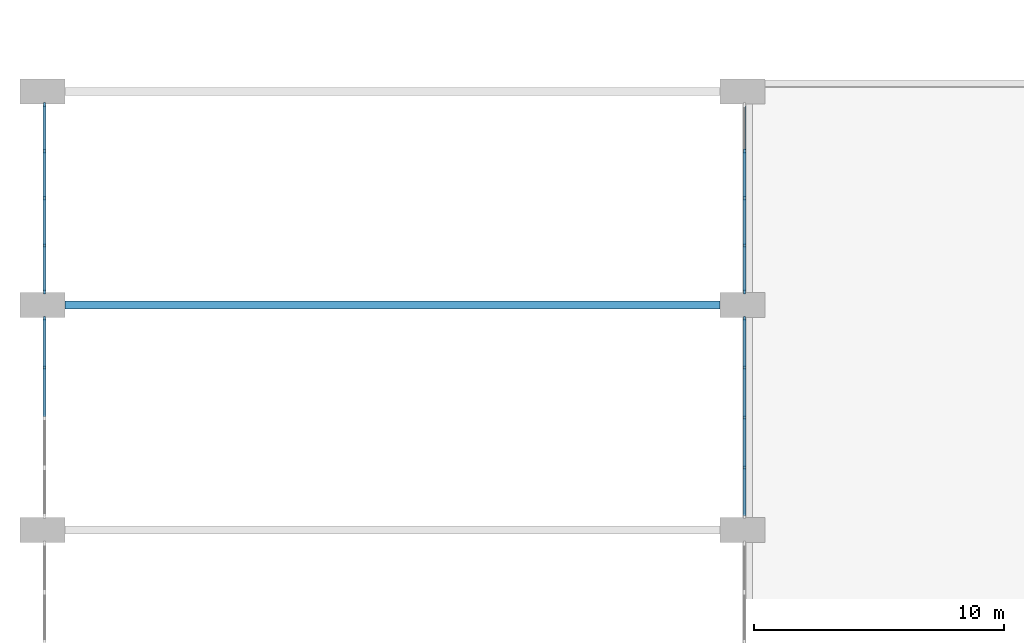
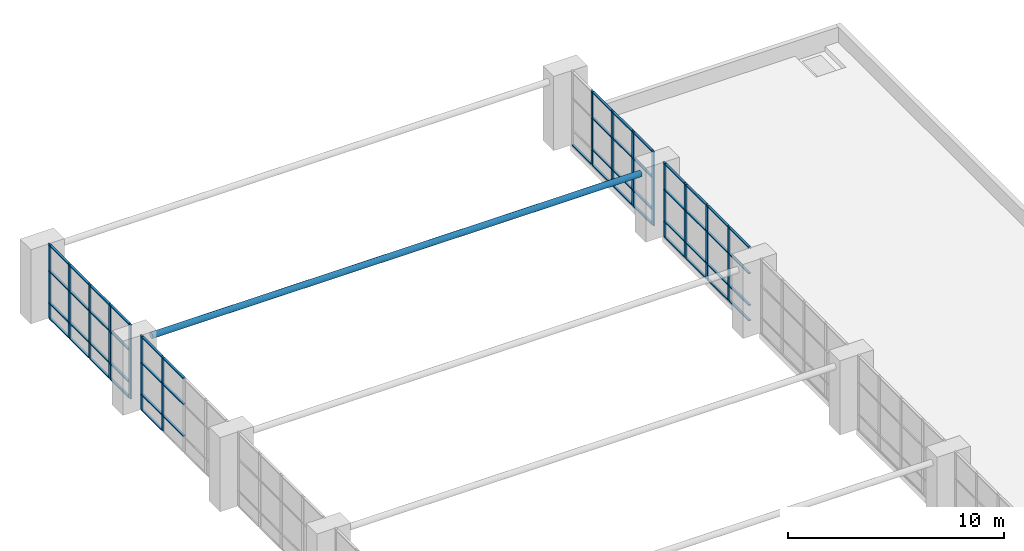
# One storey, part 6 of 21: 68 members, 4 elements without a shape of their own.
"""IFC4 building model written with IfcOpenShell, lengths in metres."""

from ifc_helpers import new_model, si_unit, direction, frame, origin, origin_2d, place, context, subcontext, project, spatial, rectangle, hollow_circle, extrude, material, material_profile, profile_set, type_object, element, aggregate, save


model = new_model("IFC4")

# Units and contexts
model_context = context("Model", 3, precision=1e-05, world=origin(), true_north=direction((0.0, 1.0)))
body_context = subcontext(model_context, "Body", "Model", "MODEL_VIEW")
ifc_project = project(units=[si_unit("LENGTHUNIT", "METRE"), si_unit("AREAUNIT", "SQUARE_METRE"), si_unit("VOLUMEUNIT", "CUBIC_METRE"), si_unit("PLANEANGLEUNIT", "RADIAN"), si_unit("MASSUNIT", "GRAM", prefix="KILO")], contexts=[model_context])

# Site, building, storey
site_placement = place(None, origin())
site = spatial("IfcSite", under=ifc_project, at=site_placement, CompositionType="ELEMENT")
building_placement = place(site_placement, origin())
building = spatial("IfcBuilding", under=site, at=building_placement, Name="Elmora Arch Market Hall", CompositionType="ELEMENT")
storey_placement = place(building_placement, frame((0.0, 0.0, 14.39990234375)))
storey = spatial("IfcBuildingStorey", under=building, at=storey_placement, Name="L03", CompositionType="ELEMENT", Elevation=14.39990234375)

# Curtain wall, members
ifc_material_1 = material(Name="Aluminium", Category="aluminium")
curtain_wall_type = type_object("IfcCurtainWallType", Name="Hall front curtain wall", PredefinedType="NOTDEFINED", material=ifc_material_1)
curtain_wall_1_placement = place(storey_placement, origin())
curtain_wall_1 = element("IfcCurtainWall", 1, at=curtain_wall_1_placement, inside=storey, type_object=curtain_wall_type, Name="Hall west glazing L03 7", PredefinedType="NOTDEFINED")
ifc_material_2 = material(Name="Aluminium", Category="aluminium")
ifc_material_profile_1 = material_profile(ifc_material_2, rectangle(XDim=0.080078125, YDim=0.179931640625, at=origin_2d()), Name="AL 80x180")
ifc_profile_set_1 = profile_set([ifc_material_profile_1], Name="Aluminium")
member_type_1 = type_object("IfcMemberType", Name="Mullion 80x180", PredefinedType="MULLION", material=ifc_profile_set_1)
member_1_placement = place(storey_placement, frame((15.090087890625, 87.5, 0.0), z_axis=(0.0, 0.0, 1.0), x_axis=(-1.0, 0.0, 0.0)))
member_1 = element("IfcMember", 2, at=member_1_placement, type_object=member_type_1, Name="CW2 mullion 4", PredefinedType="MULLION", context=body_context, shape_type="SweptSolid", body=[
    extrude(rectangle(XDim=0.080078125, YDim=0.179931640625, at=origin_2d()), origin(), (0.0, 0.0, 1.0), 4.2001953125),
])
member_2_placement = place(storey_placement, frame((15.090087890625, 89.4599609375, 0.0), z_axis=(0.0, 0.0, 1.0), x_axis=(-1.0, 0.0, 0.0)))
member_2 = element("IfcMember", 3, at=member_2_placement, type_object=member_type_1, Name="CW2 mullion 5", PredefinedType="MULLION", context=body_context, shape_type="SweptSolid", body=[
    extrude(rectangle(XDim=0.080078125, YDim=0.179931640625, at=origin_2d()), origin(), (0.0, 0.0, 1.0), 4.2001953125),
])

curtain_wall_2_placement = place(storey_placement, origin())
curtain_wall_2 = element("IfcCurtainWall", 4, at=curtain_wall_2_placement, inside=storey, type_object=curtain_wall_type, Name="Hall west glazing L03 8", PredefinedType="NOTDEFINED")
member_3_placement = place(storey_placement, frame((15.090087890625, 90.5400390625, 0.0), z_axis=(0.0, 0.0, 1.0), x_axis=(-1.0, 0.0, 0.0)))
member_3 = element("IfcMember", 5, at=member_3_placement, type_object=member_type_1, Name="CW2 mullion 1", PredefinedType="MULLION", context=body_context, shape_type="SweptSolid", body=[
    extrude(rectangle(XDim=0.080078125, YDim=0.179931640625, at=origin_2d()), origin(), (0.0, 0.0, 1.0), 4.2001953125),
])
member_4_placement = place(storey_placement, frame((15.090087890625, 92.387451171875, 0.0), z_axis=(0.0, 0.0, 1.0), x_axis=(-1.0, 0.0, 0.0)))
member_4 = element("IfcMember", 6, at=member_4_placement, type_object=member_type_1, Name="CW2 mullion 2", PredefinedType="MULLION", context=body_context, shape_type="SweptSolid", body=[
    extrude(rectangle(XDim=0.080078125, YDim=0.179931640625, at=origin_2d()), origin(), (0.0, 0.0, 1.0), 4.2001953125),
])
member_5_placement = place(storey_placement, frame((15.090087890625, 94.27490234375, 0.0), z_axis=(0.0, 0.0, 1.0), x_axis=(-1.0, 0.0, 0.0)))
member_5 = element("IfcMember", 7, at=member_5_placement, type_object=member_type_1, Name="CW2 mullion 3", PredefinedType="MULLION", context=body_context, shape_type="SweptSolid", body=[
    extrude(rectangle(XDim=0.080078125, YDim=0.179931640625, at=origin_2d()), origin(), (0.0, 0.0, 1.0), 4.2001953125),
])
member_6_placement = place(storey_placement, frame((15.090087890625, 96.16259765625, 0.0), z_axis=(0.0, 0.0, 1.0), x_axis=(-1.0, 0.0, 0.0)))
member_6 = element("IfcMember", 8, at=member_6_placement, type_object=member_type_1, Name="CW2 mullion 4", PredefinedType="MULLION", context=body_context, shape_type="SweptSolid", body=[
    extrude(rectangle(XDim=0.080078125, YDim=0.179931640625, at=origin_2d()), origin(), (0.0, 0.0, 1.0), 4.2001953125),
])
member_7_placement = place(storey_placement, frame((15.090087890625, 98.010009765625, 0.0), z_axis=(0.0, 0.0, 1.0), x_axis=(-1.0, 0.0, 0.0)))
member_7 = element("IfcMember", 9, at=member_7_placement, type_object=member_type_1, Name="CW2 mullion 5", PredefinedType="MULLION", context=body_context, shape_type="SweptSolid", body=[
    extrude(rectangle(XDim=0.080078125, YDim=0.179931640625, at=origin_2d()), origin(), (0.0, 0.0, 1.0), 4.2001953125),
])

curtain_wall_3_placement = place(storey_placement, origin())
curtain_wall_3 = element("IfcCurtainWall", 10, at=curtain_wall_3_placement, inside=storey, type_object=curtain_wall_type, Name="Hall east glazing L03 7", PredefinedType="NOTDEFINED")
member_8_placement = place(storey_placement, frame((43.090087890625, 83.5, 0.0), z_axis=(0.0, 0.0, 1.0), x_axis=(-1.0, 0.0, 0.0)))
member_8 = element("IfcMember", 11, at=member_8_placement, type_object=member_type_1, Name="CW2 mullion 2", PredefinedType="MULLION", context=body_context, shape_type="SweptSolid", body=[
    extrude(rectangle(XDim=0.080078125, YDim=0.179931640625, at=origin_2d()), origin(), (0.0, 0.0, 1.0), 4.2001953125),
])
member_9_placement = place(storey_placement, frame((43.090087890625, 85.5, 0.0), z_axis=(0.0, 0.0, 1.0), x_axis=(-1.0, 0.0, 0.0)))
member_9 = element("IfcMember", 12, at=member_9_placement, type_object=member_type_1, Name="CW2 mullion 3", PredefinedType="MULLION", context=body_context, shape_type="SweptSolid", body=[
    extrude(rectangle(XDim=0.080078125, YDim=0.179931640625, at=origin_2d()), origin(), (0.0, 0.0, 1.0), 4.2001953125),
])
member_10_placement = place(storey_placement, frame((43.090087890625, 87.5, 0.0), z_axis=(0.0, 0.0, 1.0), x_axis=(-1.0, 0.0, 0.0)))
member_10 = element("IfcMember", 13, at=member_10_placement, type_object=member_type_1, Name="CW2 mullion 4", PredefinedType="MULLION", context=body_context, shape_type="SweptSolid", body=[
    extrude(rectangle(XDim=0.080078125, YDim=0.179931640625, at=origin_2d()), origin(), (0.0, 0.0, 1.0), 4.2001953125),
])
member_11_placement = place(storey_placement, frame((43.090087890625, 89.4599609375, 0.0), z_axis=(0.0, 0.0, 1.0), x_axis=(-1.0, 0.0, 0.0)))
member_11 = element("IfcMember", 14, at=member_11_placement, type_object=member_type_1, Name="CW2 mullion 5", PredefinedType="MULLION", context=body_context, shape_type="SweptSolid", body=[
    extrude(rectangle(XDim=0.080078125, YDim=0.179931640625, at=origin_2d()), origin(), (0.0, 0.0, 1.0), 4.2001953125),
])

curtain_wall_4_placement = place(storey_placement, origin())
curtain_wall_4 = element("IfcCurtainWall", 15, at=curtain_wall_4_placement, inside=storey, type_object=curtain_wall_type, Name="Hall east glazing L03 8", PredefinedType="NOTDEFINED")
member_12_placement = place(storey_placement, frame((43.090087890625, 90.5400390625, 0.0), z_axis=(0.0, 0.0, 1.0), x_axis=(-1.0, 0.0, 0.0)))
member_12 = element("IfcMember", 16, at=member_12_placement, type_object=member_type_1, Name="CW2 mullion 1", PredefinedType="MULLION", context=body_context, shape_type="SweptSolid", body=[
    extrude(rectangle(XDim=0.080078125, YDim=0.179931640625, at=origin_2d()), origin(), (0.0, 0.0, 1.0), 4.2001953125),
])
member_13_placement = place(storey_placement, frame((43.090087890625, 92.387451171875, 0.0), z_axis=(0.0, 0.0, 1.0), x_axis=(-1.0, 0.0, 0.0)))
member_13 = element("IfcMember", 17, at=member_13_placement, type_object=member_type_1, Name="CW2 mullion 2", PredefinedType="MULLION", context=body_context, shape_type="SweptSolid", body=[
    extrude(rectangle(XDim=0.080078125, YDim=0.179931640625, at=origin_2d()), origin(), (0.0, 0.0, 1.0), 4.2001953125),
])
member_14_placement = place(storey_placement, frame((43.090087890625, 94.27490234375, 0.0), z_axis=(0.0, 0.0, 1.0), x_axis=(-1.0, 0.0, 0.0)))
member_14 = element("IfcMember", 18, at=member_14_placement, type_object=member_type_1, Name="CW2 mullion 3", PredefinedType="MULLION", context=body_context, shape_type="SweptSolid", body=[
    extrude(rectangle(XDim=0.080078125, YDim=0.179931640625, at=origin_2d()), origin(), (0.0, 0.0, 1.0), 4.2001953125),
])
member_15_placement = place(storey_placement, frame((43.090087890625, 96.16259765625, 0.0), z_axis=(0.0, 0.0, 1.0), x_axis=(-1.0, 0.0, 0.0)))
member_15 = element("IfcMember", 19, at=member_15_placement, type_object=member_type_1, Name="CW2 mullion 4", PredefinedType="MULLION", context=body_context, shape_type="SweptSolid", body=[
    extrude(rectangle(XDim=0.080078125, YDim=0.179931640625, at=origin_2d()), origin(), (0.0, 0.0, 1.0), 4.2001953125),
])

# Member
ifc_material_3 = material(Name="Steel ASTM A500 Gr C", Category="steel")
ifc_material_profile_2 = material_profile(ifc_material_3, hollow_circle(Radius=0.161865234375, WallThickness=0.0126953125, at=origin_2d()), Name="Tie rod")
ifc_profile_set_2 = profile_set([ifc_material_profile_2], Name="Steel ASTM A500 Gr C")
member_type_2 = type_object("IfcMemberType", Name="Tie rod", PredefinedType="USERDEFINED", material=ifc_profile_set_2)
member_16_placement = place(storey_placement, frame((15.89990234375, 90.0, 3.60009765625), z_axis=(1.0, 0.0, 0.0), x_axis=(0.0, 1.0, 0.0)))
element("IfcMember", 20, at=member_16_placement, inside=storey, type_object=member_type_2, Name="Tie rod 08", ObjectType="TIE ROD", PredefinedType="USERDEFINED", context=body_context, shape_type="SweptSolid", body=[
    extrude(hollow_circle(Radius=0.161865234375, WallThickness=0.0126953125, at=origin_2d()), origin(), (0.0, 0.0, 1.0), 26.2001953125),
])

ifc_material_4 = material(Name="Aluminium", Category="aluminium")
ifc_material_profile_3 = material_profile(ifc_material_4, rectangle(XDim=0.1201171875, YDim=0.06005859375, at=origin_2d()), Name="AL 120x60")
ifc_profile_set_3 = profile_set([ifc_material_profile_3], Name="Aluminium")
member_type_3 = type_object("IfcMemberType", Name="Transom 120x60", PredefinedType="USERDEFINED", material=ifc_profile_set_3)
member_17_placement = place(storey_placement, frame((15.090087890625, 85.5400390625, 0.900146484375), z_axis=(0.0, 1.0, 0.0), x_axis=(-1.0, 0.0, 0.0)))
member_17 = element("IfcMember", 21, at=member_17_placement, type_object=member_type_3, Name="CW2 transom 3.2", ObjectType="TRANSOM", PredefinedType="USERDEFINED", context=body_context, shape_type="SweptSolid", body=[
    extrude(rectangle(XDim=0.1201171875, YDim=0.06005859375, at=origin_2d()), origin(), (0.0, 0.0, 1.0), 1.919921875),
])

member_18_placement = place(storey_placement, frame((15.090087890625, 85.5400390625, 2.7001953125), z_axis=(0.0, 1.0, 0.0), x_axis=(-1.0, 0.0, 0.0)))
member_18 = element("IfcMember", 22, at=member_18_placement, type_object=member_type_3, Name="CW2 transom 3.3", ObjectType="TRANSOM", PredefinedType="USERDEFINED", context=body_context, shape_type="SweptSolid", body=[
    extrude(rectangle(XDim=0.1201171875, YDim=0.06005859375, at=origin_2d()), origin(), (0.0, 0.0, 1.0), 1.919921875),
])

member_19_placement = place(storey_placement, frame((15.090087890625, 85.5400390625, 4.170166015625), z_axis=(0.0, 1.0, 0.0), x_axis=(-1.0, 0.0, 0.0)))
member_19 = element("IfcMember", 23, at=member_19_placement, type_object=member_type_3, Name="CW2 transom 3.4", ObjectType="TRANSOM", PredefinedType="USERDEFINED", context=body_context, shape_type="SweptSolid", body=[
    extrude(rectangle(XDim=0.1201171875, YDim=0.06005859375, at=origin_2d()), origin(), (0.0, 0.0, 1.0), 1.919921875),
])

member_20_placement = place(storey_placement, frame((15.090087890625, 87.5400390625, 0.030029296875), z_axis=(0.0, 1.0, 0.0), x_axis=(-1.0, 0.0, 0.0)))
member_20 = element("IfcMember", 24, at=member_20_placement, type_object=member_type_3, Name="CW2 transom 4.1", ObjectType="TRANSOM", PredefinedType="USERDEFINED", context=body_context, shape_type="SweptSolid", body=[
    extrude(rectangle(XDim=0.1201171875, YDim=0.06005859375, at=origin_2d()), origin(), (0.0, 0.0, 1.0), 1.8798828125),
])

member_21_placement = place(storey_placement, frame((15.090087890625, 87.5400390625, 0.900146484375), z_axis=(0.0, 1.0, 0.0), x_axis=(-1.0, 0.0, 0.0)))
member_21 = element("IfcMember", 25, at=member_21_placement, type_object=member_type_3, Name="CW2 transom 4.2", ObjectType="TRANSOM", PredefinedType="USERDEFINED", context=body_context, shape_type="SweptSolid", body=[
    extrude(rectangle(XDim=0.1201171875, YDim=0.06005859375, at=origin_2d()), origin(), (0.0, 0.0, 1.0), 1.8798828125),
])

member_22_placement = place(storey_placement, frame((15.090087890625, 87.5400390625, 2.7001953125), z_axis=(0.0, 1.0, 0.0), x_axis=(-1.0, 0.0, 0.0)))
member_22 = element("IfcMember", 26, at=member_22_placement, type_object=member_type_3, Name="CW2 transom 4.3", ObjectType="TRANSOM", PredefinedType="USERDEFINED", context=body_context, shape_type="SweptSolid", body=[
    extrude(rectangle(XDim=0.1201171875, YDim=0.06005859375, at=origin_2d()), origin(), (0.0, 0.0, 1.0), 1.8798828125),
])

member_23_placement = place(storey_placement, frame((15.090087890625, 87.5400390625, 4.170166015625), z_axis=(0.0, 1.0, 0.0), x_axis=(-1.0, 0.0, 0.0)))
member_23 = element("IfcMember", 27, at=member_23_placement, type_object=member_type_3, Name="CW2 transom 4.4", ObjectType="TRANSOM", PredefinedType="USERDEFINED", context=body_context, shape_type="SweptSolid", body=[
    extrude(rectangle(XDim=0.1201171875, YDim=0.06005859375, at=origin_2d()), origin(), (0.0, 0.0, 1.0), 1.8798828125),
])

aggregate(curtain_wall_1, [member_1, member_2, member_17, member_18, member_19, member_20, member_21, member_22, member_23])

member_24_placement = place(storey_placement, frame((15.090087890625, 90.580078125, 0.030029296875), z_axis=(0.0, 1.0, 0.0), x_axis=(-1.0, 0.0, 0.0)))
member_24 = element("IfcMember", 28, at=member_24_placement, type_object=member_type_3, Name="CW2 transom 1.1", ObjectType="TRANSOM", PredefinedType="USERDEFINED", context=body_context, shape_type="SweptSolid", body=[
    extrude(rectangle(XDim=0.1201171875, YDim=0.06005859375, at=origin_2d()), origin(), (0.0, 0.0, 1.0), 1.767333984375),
])

member_25_placement = place(storey_placement, frame((15.090087890625, 90.580078125, 0.900146484375), z_axis=(0.0, 1.0, 0.0), x_axis=(-1.0, 0.0, 0.0)))
member_25 = element("IfcMember", 29, at=member_25_placement, type_object=member_type_3, Name="CW2 transom 1.2", ObjectType="TRANSOM", PredefinedType="USERDEFINED", context=body_context, shape_type="SweptSolid", body=[
    extrude(rectangle(XDim=0.1201171875, YDim=0.06005859375, at=origin_2d()), origin(), (0.0, 0.0, 1.0), 1.767333984375),
])

member_26_placement = place(storey_placement, frame((15.090087890625, 90.580078125, 2.7001953125), z_axis=(0.0, 1.0, 0.0), x_axis=(-1.0, 0.0, 0.0)))
member_26 = element("IfcMember", 30, at=member_26_placement, type_object=member_type_3, Name="CW2 transom 1.3", ObjectType="TRANSOM", PredefinedType="USERDEFINED", context=body_context, shape_type="SweptSolid", body=[
    extrude(rectangle(XDim=0.1201171875, YDim=0.06005859375, at=origin_2d()), origin(), (0.0, 0.0, 1.0), 1.767333984375),
])

member_27_placement = place(storey_placement, frame((15.090087890625, 90.580078125, 4.170166015625), z_axis=(0.0, 1.0, 0.0), x_axis=(-1.0, 0.0, 0.0)))
member_27 = element("IfcMember", 31, at=member_27_placement, type_object=member_type_3, Name="CW2 transom 1.4", ObjectType="TRANSOM", PredefinedType="USERDEFINED", context=body_context, shape_type="SweptSolid", body=[
    extrude(rectangle(XDim=0.1201171875, YDim=0.06005859375, at=origin_2d()), origin(), (0.0, 0.0, 1.0), 1.767333984375),
])

member_28_placement = place(storey_placement, frame((15.090087890625, 92.427490234375, 0.030029296875), z_axis=(0.0, 1.0, 0.0), x_axis=(-1.0, 0.0, 0.0)))
member_28 = element("IfcMember", 32, at=member_28_placement, type_object=member_type_3, Name="CW2 transom 2.1", ObjectType="TRANSOM", PredefinedType="USERDEFINED", context=body_context, shape_type="SweptSolid", body=[
    extrude(rectangle(XDim=0.1201171875, YDim=0.06005859375, at=origin_2d()), origin(), (0.0, 0.0, 1.0), 1.8076171875),
])

member_29_placement = place(storey_placement, frame((15.090087890625, 92.427490234375, 0.900146484375), z_axis=(0.0, 1.0, 0.0), x_axis=(-1.0, 0.0, 0.0)))
member_29 = element("IfcMember", 33, at=member_29_placement, type_object=member_type_3, Name="CW2 transom 2.2", ObjectType="TRANSOM", PredefinedType="USERDEFINED", context=body_context, shape_type="SweptSolid", body=[
    extrude(rectangle(XDim=0.1201171875, YDim=0.06005859375, at=origin_2d()), origin(), (0.0, 0.0, 1.0), 1.8076171875),
])

member_30_placement = place(storey_placement, frame((15.090087890625, 92.427490234375, 2.7001953125), z_axis=(0.0, 1.0, 0.0), x_axis=(-1.0, 0.0, 0.0)))
member_30 = element("IfcMember", 34, at=member_30_placement, type_object=member_type_3, Name="CW2 transom 2.3", ObjectType="TRANSOM", PredefinedType="USERDEFINED", context=body_context, shape_type="SweptSolid", body=[
    extrude(rectangle(XDim=0.1201171875, YDim=0.06005859375, at=origin_2d()), origin(), (0.0, 0.0, 1.0), 1.8076171875),
])

member_31_placement = place(storey_placement, frame((15.090087890625, 92.427490234375, 4.170166015625), z_axis=(0.0, 1.0, 0.0), x_axis=(-1.0, 0.0, 0.0)))
member_31 = element("IfcMember", 35, at=member_31_placement, type_object=member_type_3, Name="CW2 transom 2.4", ObjectType="TRANSOM", PredefinedType="USERDEFINED", context=body_context, shape_type="SweptSolid", body=[
    extrude(rectangle(XDim=0.1201171875, YDim=0.06005859375, at=origin_2d()), origin(), (0.0, 0.0, 1.0), 1.8076171875),
])

member_32_placement = place(storey_placement, frame((15.090087890625, 94.31494140625, 0.030029296875), z_axis=(0.0, 1.0, 0.0), x_axis=(-1.0, 0.0, 0.0)))
member_32 = element("IfcMember", 36, at=member_32_placement, type_object=member_type_3, Name="CW2 transom 3.1", ObjectType="TRANSOM", PredefinedType="USERDEFINED", context=body_context, shape_type="SweptSolid", body=[
    extrude(rectangle(XDim=0.1201171875, YDim=0.06005859375, at=origin_2d()), origin(), (0.0, 0.0, 1.0), 1.8076171875),
])

member_33_placement = place(storey_placement, frame((15.090087890625, 94.31494140625, 0.900146484375), z_axis=(0.0, 1.0, 0.0), x_axis=(-1.0, 0.0, 0.0)))
member_33 = element("IfcMember", 37, at=member_33_placement, type_object=member_type_3, Name="CW2 transom 3.2", ObjectType="TRANSOM", PredefinedType="USERDEFINED", context=body_context, shape_type="SweptSolid", body=[
    extrude(rectangle(XDim=0.1201171875, YDim=0.06005859375, at=origin_2d()), origin(), (0.0, 0.0, 1.0), 1.8076171875),
])

member_34_placement = place(storey_placement, frame((15.090087890625, 94.31494140625, 2.7001953125), z_axis=(0.0, 1.0, 0.0), x_axis=(-1.0, 0.0, 0.0)))
member_34 = element("IfcMember", 38, at=member_34_placement, type_object=member_type_3, Name="CW2 transom 3.3", ObjectType="TRANSOM", PredefinedType="USERDEFINED", context=body_context, shape_type="SweptSolid", body=[
    extrude(rectangle(XDim=0.1201171875, YDim=0.06005859375, at=origin_2d()), origin(), (0.0, 0.0, 1.0), 1.8076171875),
])

member_35_placement = place(storey_placement, frame((15.090087890625, 94.31494140625, 4.170166015625), z_axis=(0.0, 1.0, 0.0), x_axis=(-1.0, 0.0, 0.0)))
member_35 = element("IfcMember", 39, at=member_35_placement, type_object=member_type_3, Name="CW2 transom 3.4", ObjectType="TRANSOM", PredefinedType="USERDEFINED", context=body_context, shape_type="SweptSolid", body=[
    extrude(rectangle(XDim=0.1201171875, YDim=0.06005859375, at=origin_2d()), origin(), (0.0, 0.0, 1.0), 1.8076171875),
])

member_36_placement = place(storey_placement, frame((15.090087890625, 96.202392578125, 0.030029296875), z_axis=(0.0, 1.0, 0.0), x_axis=(-1.0, 0.0, 0.0)))
member_36 = element("IfcMember", 40, at=member_36_placement, type_object=member_type_3, Name="CW2 transom 4.1", ObjectType="TRANSOM", PredefinedType="USERDEFINED", context=body_context, shape_type="SweptSolid", body=[
    extrude(rectangle(XDim=0.1201171875, YDim=0.06005859375, at=origin_2d()), origin(), (0.0, 0.0, 1.0), 1.767578125),
])

member_37_placement = place(storey_placement, frame((15.090087890625, 96.202392578125, 0.900146484375), z_axis=(0.0, 1.0, 0.0), x_axis=(-1.0, 0.0, 0.0)))
member_37 = element("IfcMember", 41, at=member_37_placement, type_object=member_type_3, Name="CW2 transom 4.2", ObjectType="TRANSOM", PredefinedType="USERDEFINED", context=body_context, shape_type="SweptSolid", body=[
    extrude(rectangle(XDim=0.1201171875, YDim=0.06005859375, at=origin_2d()), origin(), (0.0, 0.0, 1.0), 1.767578125),
])

member_38_placement = place(storey_placement, frame((15.090087890625, 96.202392578125, 2.7001953125), z_axis=(0.0, 1.0, 0.0), x_axis=(-1.0, 0.0, 0.0)))
member_38 = element("IfcMember", 42, at=member_38_placement, type_object=member_type_3, Name="CW2 transom 4.3", ObjectType="TRANSOM", PredefinedType="USERDEFINED", context=body_context, shape_type="SweptSolid", body=[
    extrude(rectangle(XDim=0.1201171875, YDim=0.06005859375, at=origin_2d()), origin(), (0.0, 0.0, 1.0), 1.767578125),
])

member_39_placement = place(storey_placement, frame((15.090087890625, 96.202392578125, 4.170166015625), z_axis=(0.0, 1.0, 0.0), x_axis=(-1.0, 0.0, 0.0)))
member_39 = element("IfcMember", 43, at=member_39_placement, type_object=member_type_3, Name="CW2 transom 4.4", ObjectType="TRANSOM", PredefinedType="USERDEFINED", context=body_context, shape_type="SweptSolid", body=[
    extrude(rectangle(XDim=0.1201171875, YDim=0.06005859375, at=origin_2d()), origin(), (0.0, 0.0, 1.0), 1.767578125),
])

aggregate(curtain_wall_2, [member_3, member_4, member_5, member_6, member_7, member_24, member_25, member_26, member_27, member_28, member_29, member_30, member_31, member_32, member_33, member_34, member_35, member_36, member_37, member_38, member_39])

member_40_placement = place(storey_placement, frame((43.090087890625, 81.580078125, 0.030029296875), z_axis=(0.0, 1.0, 0.0), x_axis=(-1.0, 0.0, 0.0)))
member_40 = element("IfcMember", 44, at=member_40_placement, type_object=member_type_3, Name="CW2 transom 1.1", ObjectType="TRANSOM", PredefinedType="USERDEFINED", context=body_context, shape_type="SweptSolid", body=[
    extrude(rectangle(XDim=0.1201171875, YDim=0.06005859375, at=origin_2d()), origin(), (0.0, 0.0, 1.0), 1.8798828125),
])

member_41_placement = place(storey_placement, frame((43.090087890625, 81.580078125, 0.900146484375), z_axis=(0.0, 1.0, 0.0), x_axis=(-1.0, 0.0, 0.0)))
member_41 = element("IfcMember", 45, at=member_41_placement, type_object=member_type_3, Name="CW2 transom 1.2", ObjectType="TRANSOM", PredefinedType="USERDEFINED", context=body_context, shape_type="SweptSolid", body=[
    extrude(rectangle(XDim=0.1201171875, YDim=0.06005859375, at=origin_2d()), origin(), (0.0, 0.0, 1.0), 1.8798828125),
])

member_42_placement = place(storey_placement, frame((43.090087890625, 81.580078125, 2.7001953125), z_axis=(0.0, 1.0, 0.0), x_axis=(-1.0, 0.0, 0.0)))
member_42 = element("IfcMember", 46, at=member_42_placement, type_object=member_type_3, Name="CW2 transom 1.3", ObjectType="TRANSOM", PredefinedType="USERDEFINED", context=body_context, shape_type="SweptSolid", body=[
    extrude(rectangle(XDim=0.1201171875, YDim=0.06005859375, at=origin_2d()), origin(), (0.0, 0.0, 1.0), 1.8798828125),
])

member_43_placement = place(storey_placement, frame((43.090087890625, 81.580078125, 4.170166015625), z_axis=(0.0, 1.0, 0.0), x_axis=(-1.0, 0.0, 0.0)))
member_43 = element("IfcMember", 47, at=member_43_placement, type_object=member_type_3, Name="CW2 transom 1.4", ObjectType="TRANSOM", PredefinedType="USERDEFINED", context=body_context, shape_type="SweptSolid", body=[
    extrude(rectangle(XDim=0.1201171875, YDim=0.06005859375, at=origin_2d()), origin(), (0.0, 0.0, 1.0), 1.8798828125),
])

member_44_placement = place(storey_placement, frame((43.090087890625, 83.5400390625, 0.030029296875), z_axis=(0.0, 1.0, 0.0), x_axis=(-1.0, 0.0, 0.0)))
member_44 = element("IfcMember", 48, at=member_44_placement, type_object=member_type_3, Name="CW2 transom 2.1", ObjectType="TRANSOM", PredefinedType="USERDEFINED", context=body_context, shape_type="SweptSolid", body=[
    extrude(rectangle(XDim=0.1201171875, YDim=0.06005859375, at=origin_2d()), origin(), (0.0, 0.0, 1.0), 1.919921875),
])

member_45_placement = place(storey_placement, frame((43.090087890625, 83.5400390625, 0.900146484375), z_axis=(0.0, 1.0, 0.0), x_axis=(-1.0, 0.0, 0.0)))
member_45 = element("IfcMember", 49, at=member_45_placement, type_object=member_type_3, Name="CW2 transom 2.2", ObjectType="TRANSOM", PredefinedType="USERDEFINED", context=body_context, shape_type="SweptSolid", body=[
    extrude(rectangle(XDim=0.1201171875, YDim=0.06005859375, at=origin_2d()), origin(), (0.0, 0.0, 1.0), 1.919921875),
])

member_46_placement = place(storey_placement, frame((43.090087890625, 83.5400390625, 2.7001953125), z_axis=(0.0, 1.0, 0.0), x_axis=(-1.0, 0.0, 0.0)))
member_46 = element("IfcMember", 50, at=member_46_placement, type_object=member_type_3, Name="CW2 transom 2.3", ObjectType="TRANSOM", PredefinedType="USERDEFINED", context=body_context, shape_type="SweptSolid", body=[
    extrude(rectangle(XDim=0.1201171875, YDim=0.06005859375, at=origin_2d()), origin(), (0.0, 0.0, 1.0), 1.919921875),
])

member_47_placement = place(storey_placement, frame((43.090087890625, 83.5400390625, 4.170166015625), z_axis=(0.0, 1.0, 0.0), x_axis=(-1.0, 0.0, 0.0)))
member_47 = element("IfcMember", 51, at=member_47_placement, type_object=member_type_3, Name="CW2 transom 2.4", ObjectType="TRANSOM", PredefinedType="USERDEFINED", context=body_context, shape_type="SweptSolid", body=[
    extrude(rectangle(XDim=0.1201171875, YDim=0.06005859375, at=origin_2d()), origin(), (0.0, 0.0, 1.0), 1.919921875),
])

member_48_placement = place(storey_placement, frame((43.090087890625, 85.5400390625, 0.030029296875), z_axis=(0.0, 1.0, 0.0), x_axis=(-1.0, 0.0, 0.0)))
member_48 = element("IfcMember", 52, at=member_48_placement, type_object=member_type_3, Name="CW2 transom 3.1", ObjectType="TRANSOM", PredefinedType="USERDEFINED", context=body_context, shape_type="SweptSolid", body=[
    extrude(rectangle(XDim=0.1201171875, YDim=0.06005859375, at=origin_2d()), origin(), (0.0, 0.0, 1.0), 1.919921875),
])

member_49_placement = place(storey_placement, frame((43.090087890625, 85.5400390625, 0.900146484375), z_axis=(0.0, 1.0, 0.0), x_axis=(-1.0, 0.0, 0.0)))
member_49 = element("IfcMember", 53, at=member_49_placement, type_object=member_type_3, Name="CW2 transom 3.2", ObjectType="TRANSOM", PredefinedType="USERDEFINED", context=body_context, shape_type="SweptSolid", body=[
    extrude(rectangle(XDim=0.1201171875, YDim=0.06005859375, at=origin_2d()), origin(), (0.0, 0.0, 1.0), 1.919921875),
])

member_50_placement = place(storey_placement, frame((43.090087890625, 85.5400390625, 2.7001953125), z_axis=(0.0, 1.0, 0.0), x_axis=(-1.0, 0.0, 0.0)))
member_50 = element("IfcMember", 54, at=member_50_placement, type_object=member_type_3, Name="CW2 transom 3.3", ObjectType="TRANSOM", PredefinedType="USERDEFINED", context=body_context, shape_type="SweptSolid", body=[
    extrude(rectangle(XDim=0.1201171875, YDim=0.06005859375, at=origin_2d()), origin(), (0.0, 0.0, 1.0), 1.919921875),
])

member_51_placement = place(storey_placement, frame((43.090087890625, 85.5400390625, 4.170166015625), z_axis=(0.0, 1.0, 0.0), x_axis=(-1.0, 0.0, 0.0)))
member_51 = element("IfcMember", 55, at=member_51_placement, type_object=member_type_3, Name="CW2 transom 3.4", ObjectType="TRANSOM", PredefinedType="USERDEFINED", context=body_context, shape_type="SweptSolid", body=[
    extrude(rectangle(XDim=0.1201171875, YDim=0.06005859375, at=origin_2d()), origin(), (0.0, 0.0, 1.0), 1.919921875),
])

member_52_placement = place(storey_placement, frame((43.090087890625, 87.5400390625, 0.030029296875), z_axis=(0.0, 1.0, 0.0), x_axis=(-1.0, 0.0, 0.0)))
member_52 = element("IfcMember", 56, at=member_52_placement, type_object=member_type_3, Name="CW2 transom 4.1", ObjectType="TRANSOM", PredefinedType="USERDEFINED", context=body_context, shape_type="SweptSolid", body=[
    extrude(rectangle(XDim=0.1201171875, YDim=0.06005859375, at=origin_2d()), origin(), (0.0, 0.0, 1.0), 1.8798828125),
])

member_53_placement = place(storey_placement, frame((43.090087890625, 87.5400390625, 0.900146484375), z_axis=(0.0, 1.0, 0.0), x_axis=(-1.0, 0.0, 0.0)))
member_53 = element("IfcMember", 57, at=member_53_placement, type_object=member_type_3, Name="CW2 transom 4.2", ObjectType="TRANSOM", PredefinedType="USERDEFINED", context=body_context, shape_type="SweptSolid", body=[
    extrude(rectangle(XDim=0.1201171875, YDim=0.06005859375, at=origin_2d()), origin(), (0.0, 0.0, 1.0), 1.8798828125),
])

member_54_placement = place(storey_placement, frame((43.090087890625, 87.5400390625, 2.7001953125), z_axis=(0.0, 1.0, 0.0), x_axis=(-1.0, 0.0, 0.0)))
member_54 = element("IfcMember", 58, at=member_54_placement, type_object=member_type_3, Name="CW2 transom 4.3", ObjectType="TRANSOM", PredefinedType="USERDEFINED", context=body_context, shape_type="SweptSolid", body=[
    extrude(rectangle(XDim=0.1201171875, YDim=0.06005859375, at=origin_2d()), origin(), (0.0, 0.0, 1.0), 1.8798828125),
])

member_55_placement = place(storey_placement, frame((43.090087890625, 87.5400390625, 4.170166015625), z_axis=(0.0, 1.0, 0.0), x_axis=(-1.0, 0.0, 0.0)))
member_55 = element("IfcMember", 59, at=member_55_placement, type_object=member_type_3, Name="CW2 transom 4.4", ObjectType="TRANSOM", PredefinedType="USERDEFINED", context=body_context, shape_type="SweptSolid", body=[
    extrude(rectangle(XDim=0.1201171875, YDim=0.06005859375, at=origin_2d()), origin(), (0.0, 0.0, 1.0), 1.8798828125),
])

aggregate(curtain_wall_3, [member_8, member_9, member_10, member_11, member_40, member_41, member_42, member_43, member_44, member_45, member_46, member_47, member_48, member_49, member_50, member_51, member_52, member_53, member_54, member_55])

member_56_placement = place(storey_placement, frame((43.090087890625, 90.580078125, 0.030029296875), z_axis=(0.0, 1.0, 0.0), x_axis=(-1.0, 0.0, 0.0)))
member_56 = element("IfcMember", 60, at=member_56_placement, type_object=member_type_3, Name="CW2 transom 1.1", ObjectType="TRANSOM", PredefinedType="USERDEFINED", context=body_context, shape_type="SweptSolid", body=[
    extrude(rectangle(XDim=0.1201171875, YDim=0.06005859375, at=origin_2d()), origin(), (0.0, 0.0, 1.0), 1.767333984375),
])

member_57_placement = place(storey_placement, frame((43.090087890625, 90.580078125, 0.900146484375), z_axis=(0.0, 1.0, 0.0), x_axis=(-1.0, 0.0, 0.0)))
member_57 = element("IfcMember", 61, at=member_57_placement, type_object=member_type_3, Name="CW2 transom 1.2", ObjectType="TRANSOM", PredefinedType="USERDEFINED", context=body_context, shape_type="SweptSolid", body=[
    extrude(rectangle(XDim=0.1201171875, YDim=0.06005859375, at=origin_2d()), origin(), (0.0, 0.0, 1.0), 1.767333984375),
])

member_58_placement = place(storey_placement, frame((43.090087890625, 90.580078125, 2.7001953125), z_axis=(0.0, 1.0, 0.0), x_axis=(-1.0, 0.0, 0.0)))
member_58 = element("IfcMember", 62, at=member_58_placement, type_object=member_type_3, Name="CW2 transom 1.3", ObjectType="TRANSOM", PredefinedType="USERDEFINED", context=body_context, shape_type="SweptSolid", body=[
    extrude(rectangle(XDim=0.1201171875, YDim=0.06005859375, at=origin_2d()), origin(), (0.0, 0.0, 1.0), 1.767333984375),
])

member_59_placement = place(storey_placement, frame((43.090087890625, 90.580078125, 4.170166015625), z_axis=(0.0, 1.0, 0.0), x_axis=(-1.0, 0.0, 0.0)))
member_59 = element("IfcMember", 63, at=member_59_placement, type_object=member_type_3, Name="CW2 transom 1.4", ObjectType="TRANSOM", PredefinedType="USERDEFINED", context=body_context, shape_type="SweptSolid", body=[
    extrude(rectangle(XDim=0.1201171875, YDim=0.06005859375, at=origin_2d()), origin(), (0.0, 0.0, 1.0), 1.767333984375),
])

member_60_placement = place(storey_placement, frame((43.090087890625, 92.427490234375, 0.030029296875), z_axis=(0.0, 1.0, 0.0), x_axis=(-1.0, 0.0, 0.0)))
member_60 = element("IfcMember", 64, at=member_60_placement, type_object=member_type_3, Name="CW2 transom 2.1", ObjectType="TRANSOM", PredefinedType="USERDEFINED", context=body_context, shape_type="SweptSolid", body=[
    extrude(rectangle(XDim=0.1201171875, YDim=0.06005859375, at=origin_2d()), origin(), (0.0, 0.0, 1.0), 1.8076171875),
])

member_61_placement = place(storey_placement, frame((43.090087890625, 92.427490234375, 0.900146484375), z_axis=(0.0, 1.0, 0.0), x_axis=(-1.0, 0.0, 0.0)))
member_61 = element("IfcMember", 65, at=member_61_placement, type_object=member_type_3, Name="CW2 transom 2.2", ObjectType="TRANSOM", PredefinedType="USERDEFINED", context=body_context, shape_type="SweptSolid", body=[
    extrude(rectangle(XDim=0.1201171875, YDim=0.06005859375, at=origin_2d()), origin(), (0.0, 0.0, 1.0), 1.8076171875),
])

member_62_placement = place(storey_placement, frame((43.090087890625, 92.427490234375, 2.7001953125), z_axis=(0.0, 1.0, 0.0), x_axis=(-1.0, 0.0, 0.0)))
member_62 = element("IfcMember", 66, at=member_62_placement, type_object=member_type_3, Name="CW2 transom 2.3", ObjectType="TRANSOM", PredefinedType="USERDEFINED", context=body_context, shape_type="SweptSolid", body=[
    extrude(rectangle(XDim=0.1201171875, YDim=0.06005859375, at=origin_2d()), origin(), (0.0, 0.0, 1.0), 1.8076171875),
])

member_63_placement = place(storey_placement, frame((43.090087890625, 92.427490234375, 4.170166015625), z_axis=(0.0, 1.0, 0.0), x_axis=(-1.0, 0.0, 0.0)))
member_63 = element("IfcMember", 67, at=member_63_placement, type_object=member_type_3, Name="CW2 transom 2.4", ObjectType="TRANSOM", PredefinedType="USERDEFINED", context=body_context, shape_type="SweptSolid", body=[
    extrude(rectangle(XDim=0.1201171875, YDim=0.06005859375, at=origin_2d()), origin(), (0.0, 0.0, 1.0), 1.8076171875),
])

member_64_placement = place(storey_placement, frame((43.090087890625, 94.31494140625, 0.030029296875), z_axis=(0.0, 1.0, 0.0), x_axis=(-1.0, 0.0, 0.0)))
member_64 = element("IfcMember", 68, at=member_64_placement, type_object=member_type_3, Name="CW2 transom 3.1", ObjectType="TRANSOM", PredefinedType="USERDEFINED", context=body_context, shape_type="SweptSolid", body=[
    extrude(rectangle(XDim=0.1201171875, YDim=0.06005859375, at=origin_2d()), origin(), (0.0, 0.0, 1.0), 1.8076171875),
])

member_65_placement = place(storey_placement, frame((43.090087890625, 94.31494140625, 0.900146484375), z_axis=(0.0, 1.0, 0.0), x_axis=(-1.0, 0.0, 0.0)))
member_65 = element("IfcMember", 69, at=member_65_placement, type_object=member_type_3, Name="CW2 transom 3.2", ObjectType="TRANSOM", PredefinedType="USERDEFINED", context=body_context, shape_type="SweptSolid", body=[
    extrude(rectangle(XDim=0.1201171875, YDim=0.06005859375, at=origin_2d()), origin(), (0.0, 0.0, 1.0), 1.8076171875),
])

member_66_placement = place(storey_placement, frame((43.090087890625, 94.31494140625, 2.7001953125), z_axis=(0.0, 1.0, 0.0), x_axis=(-1.0, 0.0, 0.0)))
member_66 = element("IfcMember", 70, at=member_66_placement, type_object=member_type_3, Name="CW2 transom 3.3", ObjectType="TRANSOM", PredefinedType="USERDEFINED", context=body_context, shape_type="SweptSolid", body=[
    extrude(rectangle(XDim=0.1201171875, YDim=0.06005859375, at=origin_2d()), origin(), (0.0, 0.0, 1.0), 1.8076171875),
])

member_67_placement = place(storey_placement, frame((43.090087890625, 94.31494140625, 4.170166015625), z_axis=(0.0, 1.0, 0.0), x_axis=(-1.0, 0.0, 0.0)))
member_67 = element("IfcMember", 71, at=member_67_placement, type_object=member_type_3, Name="CW2 transom 3.4", ObjectType="TRANSOM", PredefinedType="USERDEFINED", context=body_context, shape_type="SweptSolid", body=[
    extrude(rectangle(XDim=0.1201171875, YDim=0.06005859375, at=origin_2d()), origin(), (0.0, 0.0, 1.0), 1.8076171875),
])

member_68_placement = place(storey_placement, frame((43.090087890625, 96.202392578125, 0.030029296875), z_axis=(0.0, 1.0, 0.0), x_axis=(-1.0, 0.0, 0.0)))
member_68 = element("IfcMember", 72, at=member_68_placement, type_object=member_type_3, Name="CW2 transom 4.1", ObjectType="TRANSOM", PredefinedType="USERDEFINED", context=body_context, shape_type="SweptSolid", body=[
    extrude(rectangle(XDim=0.1201171875, YDim=0.06005859375, at=origin_2d()), origin(), (0.0, 0.0, 1.0), 1.767578125),
])

aggregate(curtain_wall_4, [member_12, member_13, member_14, member_15, member_56, member_57, member_58, member_59, member_60, member_61, member_62, member_63, member_64, member_65, member_66, member_67, member_68])

save(model, "model.ifc")
